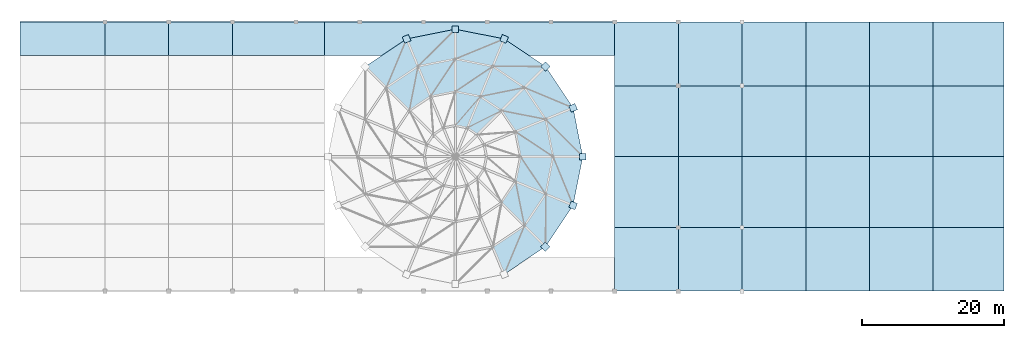
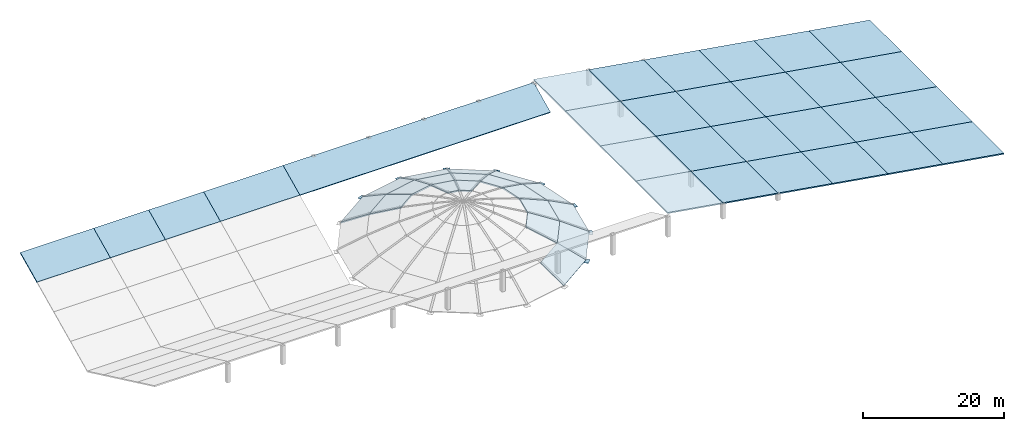
# One storey, part 5 of 7: 48 slabs, 8 plates.
"""IFC4 building model written with IfcOpenShell, lengths in metres."""

from ifc_helpers import new_model, si_unit, direction, frame, origin, origin_2d, place, context, subcontext, project, spatial, polyline, rectangle, outline, extrude, material, layer, layer_set, type_object, element, save


model = new_model("IFC4")

# Units and contexts
model_context = context("Model", 3, precision=1e-05, world=origin(), true_north=direction((0.0, 1.0)))
body_context = subcontext(model_context, "Body", "Model", "MODEL_VIEW")
ifc_project = project(units=[si_unit("LENGTHUNIT", "METRE"), si_unit("AREAUNIT", "SQUARE_METRE"), si_unit("VOLUMEUNIT", "CUBIC_METRE"), si_unit("PLANEANGLEUNIT", "RADIAN"), si_unit("MASSUNIT", "GRAM", prefix="KILO")], contexts=[model_context])

# Site, building, storey
site_placement = place(None, origin())
site = spatial("IfcSite", under=ifc_project, at=site_placement, CompositionType="ELEMENT")
building_placement = place(site_placement, origin())
building = spatial("IfcBuilding", under=site, at=building_placement, Name="Miravela Opera House", CompositionType="ELEMENT")
storey_placement = place(building_placement, frame((0.0, 0.0, 30.760009765625)))
storey = spatial("IfcBuildingStorey", under=building, at=storey_placement, Name="RF", CompositionType="ELEMENT", Elevation=30.760009765625)

# Plates
ifc_material_1 = material(Name="Structural steel ASTM A572 Gr. 50", Category="steel")
ifc_layer_1 = layer(ifc_material_1, 0.031982421875)
ifc_layer_set_1 = layer_set([ifc_layer_1])
plate_type = type_object("IfcPlateType", Name="STR-PL-BASE-950X950X32", PredefinedType="USERDEFINED", material=ifc_layer_set_1)
for number, where, z_axis, x_axis, name in (
    (1, (94.5, 56.0, -4.755859375), (0.0, 0.0, 1.0), (1.0, 0.0, 0.0), "Dome Radial Rib Shoe Base Plate 01"),
    (2, (93.1298828125, 62.88818359375, -4.755859375), (0.0, 0.0, 1.0), (0.923879532511, 0.382683432365, 0.0), "Dome Radial Rib Shoe Base Plate 02"),
    (3, (89.227783203125, 68.727783203125, -4.755859375), (0.0, 0.0, 1.0), (0.707106781187, 0.707106781187, 0.0), "Dome Radial Rib Shoe Base Plate 03"),
    (4, (83.38818359375, 72.6298828125, -4.755859375), (0.0, 0.0, 1.0), (0.382683432365, 0.923879532511, 0.0), "Dome Radial Rib Shoe Base Plate 04"),
    (5, (76.5, 74.0, -4.755859375), (0.0, 0.0, 1.0), (0.0, 1.0, 0.0), "Dome Radial Rib Shoe Base Plate 05"),
    (6, (69.61181640625, 72.6298828125, -4.755859375), (0.0, 0.0, 1.0), (-0.382683432365, 0.923879532511, 0.0), "Dome Radial Rib Shoe Base Plate 06"),
    (7, (89.227783203125, 43.272216796875, -4.755859375), (0.0, 0.0, 1.0), (0.707106781187, -0.707106781187, 0.0), "Dome Radial Rib Shoe Base Plate 15"),
    (8, (93.1298828125, 49.11181640625, -4.755859375), (0.0, 0.0, 1.0), (0.923879532511, -0.382683432365, 0.0), "Dome Radial Rib Shoe Base Plate 16"),
):
    element("IfcPlate", number, at=place(storey_placement, frame(where, z_axis=z_axis, x_axis=x_axis)), inside=storey, type_object=plate_type, Name=name, ObjectType="BASE PLATE", PredefinedType="USERDEFINED", context=body_context, shape_type="SweptSolid", body=[
        extrude(rectangle(XDim=0.949951171875, YDim=0.949951171875, at=origin_2d()), origin(), (0.0, 0.0, 1.0), 0.031982421875),
    ])

# Slabs
ifc_material_2 = material(Name="Concrete C40/50", Category="concrete")
ifc_layer_2 = layer(ifc_material_2, 0.179931640625)
ifc_layer_set_2 = layer_set([ifc_layer_2])
slab_type_1 = type_object("IfcSlabType", Name="STR-ROOF-DOME-180", PredefinedType="ROOF", material=ifc_layer_set_2)
slab_1_placement = place(storey_placement, frame((94.5, 56.0, -4.56005859375), z_axis=(0.462034391653, 0.091906329486, 0.882086984106), x_axis=(-0.195088262972, 0.980785689965, -3.316993e-06)))
element("IfcSlab", 9, at=slab_1_placement, inside=storey, type_object=slab_type_1, Name="Dome Shell Roof Facet Ring 1 Sector 01", PredefinedType="ROOF", context=body_context, shape_type="SweptSolid", body=[
    extrude(outline(polyline([(0.0, 0.0), (7.023125680777193, 2.220446049250313e-16), (6.203836316813696, 4.669994667139818), (0.8193538814632796, 4.669907303255811), (0.0, 0.0)])), origin(), (0.0, 0.0, -1.0), 0.179931640625),
])
slab_2_placement = place(storey_placement, frame((93.1298828125, 62.88818359375, -4.56005859375), z_axis=(0.39169699026, 0.26173074797, 0.882083036561), x_axis=(-0.555588189725, 0.831457613722, 4.759863e-06)))
element("IfcSlab", 10, at=slab_2_placement, inside=storey, type_object=slab_type_1, Name="Dome Shell Roof Facet Ring 1 Sector 02", PredefinedType="ROOF", context=body_context, shape_type="SweptSolid", body=[
    extrude(outline(polyline([(0.0, 0.0), (7.023340014399192, 0.0), (6.204093729638533, 4.669815027829243), (0.8195986590513307, 4.669940394733152), (0.0, 0.0)])), origin(), (0.0, 0.0, -1.0), 0.179931640625),
])
slab_3_placement = place(storey_placement, frame((89.227783203125, 68.727783203125, -4.56005859375), z_axis=(0.26173074797, 0.39169699026, 0.882083036561), x_axis=(-0.831457613722, 0.555588189725, -4.759863e-06)))
element("IfcSlab", 11, at=slab_3_placement, inside=storey, type_object=slab_type_1, Name="Dome Shell Roof Facet Ring 1 Sector 03", PredefinedType="ROOF", context=body_context, shape_type="SweptSolid", body=[
    extrude(outline(polyline([(0.0, 0.0), (7.023340014399192, 0.0), (6.203741355347861, 4.669940394733152), (0.8192462847606585, 4.669815027829243), (0.0, 0.0)])), origin(), (0.0, 0.0, -1.0), 0.179931640625),
])
slab_4_placement = place(storey_placement, frame((83.38818359375, 72.6298828125, -4.56005859375), z_axis=(0.091906329486, 0.462034391653, 0.882086984106), x_axis=(-0.980785689965, 0.195088262972, 3.316993e-06)))
element("IfcSlab", 12, at=slab_4_placement, inside=storey, type_object=slab_type_1, Name="Dome Shell Roof Facet Ring 1 Sector 04", PredefinedType="ROOF", context=body_context, shape_type="SweptSolid", body=[
    extrude(outline(polyline([(0.0, 0.0), (7.023125680777193, -2.220446049250313e-16), (6.203771799313913, 4.669907303255811), (0.8192893639634973, 4.669994667139817), (0.0, 0.0)])), origin(), (0.0, 0.0, -1.0), 0.179931640625),
])
slab_5_placement = place(storey_placement, frame((76.5, 74.0, -4.56005859375), z_axis=(-0.091906329486, 0.462034391653, 0.882086984106), x_axis=(-0.980785689965, -0.195088262972, -3.316993e-06)))
element("IfcSlab", 13, at=slab_5_placement, inside=storey, type_object=slab_type_1, Name="Dome Shell Roof Facet Ring 1 Sector 05", PredefinedType="ROOF", context=body_context, shape_type="SweptSolid", body=[
    extrude(outline(polyline([(0.0, 0.0), (7.023125680777193, 2.220446049250313e-16), (6.203836316813696, 4.669994667139818), (0.8193538814632796, 4.669907303255811), (0.0, 0.0)])), origin(), (0.0, 0.0, -1.0), 0.179931640625),
])
for number, where, z_axis, x_axis, name in (
    (14, (69.61181640625, 72.6298828125, -4.56005859375), (-0.26173074797, 0.39169699026, 0.882083036561), (-0.831457613722, -0.555588189725, 4.759863e-06), "Dome Shell Roof Facet Ring 1 Sector 06"),
    (15, (83.38818359375, 39.3701171875, -4.56005859375), (0.26173074797, -0.39169699026, 0.882083036561), (0.831457613722, 0.555588189725, 4.759863e-06), "Dome Shell Roof Facet Ring 1 Sector 14"),
):
    element("IfcSlab", number, at=place(storey_placement, frame(where, z_axis=z_axis, x_axis=x_axis)), inside=storey, type_object=slab_type_1, Name=name, PredefinedType="ROOF", context=body_context, shape_type="SweptSolid", body=[
        extrude(outline(polyline([(0.0, 0.0), (7.023340014399192, 0.0), (6.204093729638533, 4.669815027829243), (0.8195986590513307, 4.669940394733152), (0.0, 0.0)])), origin(), (0.0, 0.0, -1.0), 0.179931640625),
    ])
slab_6_placement = place(storey_placement, frame((89.227783203125, 43.272216796875, -4.56005859375), z_axis=(0.39169699026, -0.26173074797, 0.882083036561), x_axis=(0.555588189725, 0.831457613722, -4.759863e-06)))
element("IfcSlab", 16, at=slab_6_placement, inside=storey, type_object=slab_type_1, Name="Dome Shell Roof Facet Ring 1 Sector 15", PredefinedType="ROOF", context=body_context, shape_type="SweptSolid", body=[
    extrude(outline(polyline([(0.0, 0.0), (7.023340014399192, 0.0), (6.203741355347861, 4.669940394733152), (0.8192462847606585, 4.669815027829243), (0.0, 0.0)])), origin(), (0.0, 0.0, -1.0), 0.179931640625),
])
slab_7_placement = place(storey_placement, frame((93.1298828125, 49.11181640625, -4.56005859375), z_axis=(0.462034391653, -0.091906329486, 0.882086984106), x_axis=(0.195088262972, 0.980785689965, 3.316993e-06)))
element("IfcSlab", 17, at=slab_7_placement, inside=storey, type_object=slab_type_1, Name="Dome Shell Roof Facet Ring 1 Sector 16", PredefinedType="ROOF", context=body_context, shape_type="SweptSolid", body=[
    extrude(outline(polyline([(0.0, 0.0), (7.023125680777193, -2.220446049250313e-16), (6.203771799313913, 4.669907303255811), (0.8192893639634973, 4.669994667139817), (0.0, 0.0)])), origin(), (0.0, 0.0, -1.0), 0.179931640625),
])
slab_8_placement = place(storey_placement, frame((90.300048828125, 56.0, -2.360107421875), z_axis=(0.389155555046, 0.077405816189, 0.917914099247), x_axis=(-0.195101546297, 0.980783047662, 7.122923e-06)))
element("IfcSlab", 18, at=slab_8_placement, inside=storey, type_object=slab_type_1, Name="Dome Shell Roof Facet Ring 2 Sector 01", PredefinedType="ROOF", context=body_context, shape_type="SweptSolid", body=[
    extrude(outline(polyline([(0.0, 0.0), (5.384482435961812, 1.1102230246251565e-16), (4.487203075772411, 4.91498425060445), (0.8975000569447559, 4.915145353900743), (0.0, 0.0)])), origin(), (0.0, 0.0, -1.0), 0.179931640625),
])
slab_9_placement = place(storey_placement, frame((89.24951171875, 61.281005859375, -2.360107421875), z_axis=(0.329911320057, 0.22044462187, 0.917912136093), x_axis=(-0.555570003077, 0.831469765933, -4.581101e-06)))
element("IfcSlab", 19, at=slab_9_placement, inside=storey, type_object=slab_type_1, Name="Dome Shell Roof Facet Ring 2 Sector 02", PredefinedType="ROOF", context=body_context, shape_type="SweptSolid", body=[
    extrude(outline(polyline([(0.0, 0.0), (5.384495072112978, 4.440892098500626e-16), (4.487070967045331, 4.915060352174468), (0.8974300384168593, 4.9149567405097745), (0.0, 0.0)])), origin(), (0.0, 0.0, -1.0), 0.179931640625),
])
slab_10_placement = place(storey_placement, frame((86.258056640625, 65.758056640625, -2.360107421875), z_axis=(0.22044462187, 0.329911320057, 0.917912136093), x_axis=(-0.831469765933, 0.555570003077, 4.581101e-06)))
element("IfcSlab", 20, at=slab_10_placement, inside=storey, type_object=slab_type_1, Name="Dome Shell Roof Facet Ring 2 Sector 03", PredefinedType="ROOF", context=body_context, shape_type="SweptSolid", body=[
    extrude(outline(polyline([(0.0, 0.0), (5.384495072112978, -4.440892098500626e-16), (4.487065033696118, 4.9149567405097745), (0.8974241050676467, 4.915060352174467), (0.0, 0.0)])), origin(), (0.0, 0.0, -1.0), 0.179931640625),
])
slab_11_placement = place(storey_placement, frame((81.781005859375, 68.74951171875, -2.360107421875), z_axis=(0.077405816189, 0.389155555046, 0.917914099247), x_axis=(-0.980783047662, 0.195101546297, -7.122923e-06)))
element("IfcSlab", 21, at=slab_11_placement, inside=storey, type_object=slab_type_1, Name="Dome Shell Roof Facet Ring 2 Sector 04", PredefinedType="ROOF", context=body_context, shape_type="SweptSolid", body=[
    extrude(outline(polyline([(0.0, 0.0), (5.384482435961812, -1.1102230246251565e-16), (4.486982379017055, 4.915145353900742), (0.8972793601894004, 4.91498425060445), (0.0, 0.0)])), origin(), (0.0, 0.0, -1.0), 0.179931640625),
])
slab_12_placement = place(storey_placement, frame((76.5, 69.800048828125, -2.360107421875), z_axis=(-0.077405816189, 0.389155555046, 0.917914099247), x_axis=(-0.980783047662, -0.195101546297, 7.122923e-06)))
element("IfcSlab", 22, at=slab_12_placement, inside=storey, type_object=slab_type_1, Name="Dome Shell Roof Facet Ring 2 Sector 05", PredefinedType="ROOF", context=body_context, shape_type="SweptSolid", body=[
    extrude(outline(polyline([(0.0, 0.0), (5.384482435961812, 1.1102230246251565e-16), (4.487203075772411, 4.91498425060445), (0.8975000569447559, 4.915145353900743), (0.0, 0.0)])), origin(), (0.0, 0.0, -1.0), 0.179931640625),
])
slab_13_placement = place(storey_placement, frame((71.218994140625, 68.74951171875, -2.360107421875), z_axis=(-0.22044462187, 0.329911320057, 0.917912136093), x_axis=(-0.831469765933, -0.555570003077, -4.581101e-06)))
element("IfcSlab", 23, at=slab_13_placement, inside=storey, type_object=slab_type_1, Name="Dome Shell Roof Facet Ring 2 Sector 06", PredefinedType="ROOF", context=body_context, shape_type="SweptSolid", body=[
    extrude(outline(polyline([(0.0, 0.0), (5.384495072112978, 4.440892098500626e-16), (4.487070967045331, 4.915060352174468), (0.8974300384168593, 4.9149567405097745), (0.0, 0.0)])), origin(), (0.0, 0.0, -1.0), 0.179931640625),
])
slab_14_placement = place(storey_placement, frame((86.258056640625, 46.241943359375, -2.360107421875), z_axis=(0.329911320057, -0.22044462187, 0.917912136093), x_axis=(0.555570003077, 0.831469765933, 4.581101e-06)))
element("IfcSlab", 24, at=slab_14_placement, inside=storey, type_object=slab_type_1, Name="Dome Shell Roof Facet Ring 2 Sector 15", PredefinedType="ROOF", context=body_context, shape_type="SweptSolid", body=[
    extrude(outline(polyline([(0.0, 0.0), (5.384495072112978, -4.440892098500626e-16), (4.487065033696118, 4.9149567405097745), (0.8974241050676467, 4.915060352174467), (0.0, 0.0)])), origin(), (0.0, 0.0, -1.0), 0.179931640625),
])
slab_15_placement = place(storey_placement, frame((89.24951171875, 50.718994140625, -2.360107421875), z_axis=(0.389155555046, -0.077405816189, 0.917914099247), x_axis=(0.195101546297, 0.980783047662, -7.122923e-06)))
element("IfcSlab", 25, at=slab_15_placement, inside=storey, type_object=slab_type_1, Name="Dome Shell Roof Facet Ring 2 Sector 16", PredefinedType="ROOF", context=body_context, shape_type="SweptSolid", body=[
    extrude(outline(polyline([(0.0, 0.0), (5.384482435961812, -1.1102230246251565e-16), (4.486982379017055, 4.915145353900742), (0.8972793601894004, 4.91498425060445), (0.0, 0.0)])), origin(), (0.0, 0.0, -1.0), 0.179931640625),
])
slab_16_placement = place(storey_placement, frame((83.00537109375, 62.50537109375, -0.409912109375), z_axis=(0.178769612235, 0.267532662497, 0.946819782344), x_axis=(-0.831453587889, 0.555594214499, -1.018118e-06)))
element("IfcSlab", 26, at=slab_16_placement, inside=storey, type_object=slab_type_1, Name="Dome Shell Roof Facet Ring 3 Sector 03", PredefinedType="ROOF", context=body_context, shape_type="SweptSolid", body=[
    extrude(outline(polyline([(0.0, 0.0), (3.589640930222311, 4.440892098500626e-16), (2.653126479876139, 4.9721362697790354), (0.9362769377772429, 4.972119479122748), (0.0, 0.0)])), origin(), (0.0, 0.0, -1.0), 0.179931640625),
])
slab_17_placement = place(storey_placement, frame((80.020751953125, 64.499755859375, -0.409912109375), z_axis=(0.062752233361, 0.315582003016, 0.946821079497), x_axis=(-0.980792579232, 0.195053624532, -8.96549e-06)))
element("IfcSlab", 27, at=slab_17_placement, inside=storey, type_object=slab_type_1, Name="Dome Shell Roof Facet Ring 3 Sector 04", PredefinedType="ROOF", context=body_context, shape_type="SweptSolid", body=[
    extrude(outline(polyline([(0.0, 0.0), (3.589703022524995, 0.0), (2.653421757200504, 4.972260795140259), (0.9366383250236381, 4.9721129359574885), (0.0, 0.0)])), origin(), (0.0, 0.0, -1.0), 0.179931640625),
])
ifc_material_3 = material(Name="Concrete C35/45", Category="concrete")
ifc_layer_3 = layer(ifc_material_3, 0.18994140625)
ifc_layer_set_3 = layer_set([ifc_layer_3])
slab_type_2 = type_object("IfcSlabType", Name="STR-ROOF-VWRAP-190", PredefinedType="ROOF", material=ifc_layer_set_3)
slab_18_placement = place(storey_placement, frame((15.0, 70.25, 1.25), z_axis=(0.0, -0.428086344739, 0.903737838894), x_axis=(1.0, 0.0, 0.0)))
element("IfcSlab", 28, at=slab_18_placement, inside=storey, type_object=slab_type_2, Name="Auditorium V-Crest Roof Slab Bay 8.1", PredefinedType="ROOF", context=body_context, shape_type="SweptSolid", body=[
    extrude(outline(polyline([(0.0, 0.0), (12.0, 0.0), (12.0, 5.25594901040716), (0.0, 5.25594901040716), (0.0, 0.0)])), origin(), (0.0, 0.0, -1.0), 0.18994140625),
])
for number, where, z_axis, x_axis, name in (
    (29, (27.0, 70.25, 1.25), (0.0, -0.428086344739, 0.903737838894), (1.0, 0.0, 0.0), "Auditorium V-Crest Roof Slab Bay 8.2"),
    (30, (36.0, 70.25, 1.25), (0.0, -0.428086344739, 0.903737838894), (1.0, 0.0, 0.0), "Auditorium V-Crest Roof Slab Bay 8.3"),
):
    element("IfcSlab", number, at=place(storey_placement, frame(where, z_axis=z_axis, x_axis=x_axis)), inside=storey, type_object=slab_type_2, Name=name, PredefinedType="ROOF", context=body_context, shape_type="SweptSolid", body=[
        extrude(outline(polyline([(0.0, 0.0), (9.0, 0.0), (9.0, 5.25594901040716), (0.0, 5.25594901040716), (0.0, 0.0)])), origin(), (0.0, 0.0, -1.0), 0.18994140625),
    ])
slab_19_placement = place(storey_placement, frame((45.0, 70.25, 1.25), z_axis=(0.0, -0.428086344739, 0.903737838894), x_axis=(1.0, 0.0, 0.0)))
element("IfcSlab", 31, at=slab_19_placement, inside=storey, type_object=slab_type_2, Name="Auditorium V-Crest Roof Slab Bay 8.4", PredefinedType="ROOF", context=body_context, shape_type="SweptSolid", body=[
    extrude(outline(polyline([(0.0, 0.0), (13.0, 0.0), (13.0, 5.255949010407159), (0.0, 5.255949010407159), (0.0, 0.0)])), origin(), (0.0, 0.0, -1.0), 0.18994140625),
])
slab_20_placement = place(storey_placement, frame((58.0, 70.25, 1.25), z_axis=(0.0, -0.428086344739, 0.903737838894), x_axis=(1.0, 0.0, 0.0)))
element("IfcSlab", 32, at=slab_20_placement, inside=storey, type_object=slab_type_2, Name="Drum Flanking V-Roof Slab B8", PredefinedType="ROOF", context=body_context, shape_type="SweptSolid", body=[
    extrude(outline(polyline([(0.0, 0.0), (41.0, 0.0), (41.0, 5.25594901040716), (0.0, 5.25594901040716), (0.0, 0.0)])), origin(), (0.0, 0.0, -1.0), 0.18994140625),
])
ifc_layer_4 = layer(ifc_material_3, 0.199951171875)
ifc_layer_set_4 = layer_set([ifc_layer_4])
slab_type_3 = type_object("IfcSlabType", Name="STR-ROOF-WEDGE-200", PredefinedType="ROOF", material=ifc_layer_set_4)
slab_21_placement = place(storey_placement, frame((99.0, 37.0, 4.0400390625), z_axis=(0.161480983356, 0.0, 0.98687582401), x_axis=(0.98687582401, 0.0, -0.161480983356)))
element("IfcSlab", 33, at=slab_21_placement, inside=storey, type_object=slab_type_3, Name="Stage House Steep Wedge Roof Facet 1.1", PredefinedType="ROOF", context=body_context, shape_type="SweptSolid", body=[
    extrude(outline(polyline([(0.0, 0.0), (9.11968839548063, 0.0), (9.11968839548063, 9.0), (0.0, 9.0), (0.0, 0.0)])), origin(), (0.0, 0.0, -1.0), 0.199951171875),
])
for number, where, z_axis, x_axis, name in (
    (34, (99.0, 46.0, 4.0400390625), (0.161480983356, 0.0, 0.98687582401), (0.98687582401, 0.0, -0.161480983356), "Stage House Steep Wedge Roof Facet 1.2"),
    (35, (99.0, 56.0, 4.0400390625), (0.161480983356, 0.0, 0.98687582401), (0.98687582401, 0.0, -0.161480983356), "Stage House Steep Wedge Roof Facet 1.3"),
):
    element("IfcSlab", number, at=place(storey_placement, frame(where, z_axis=z_axis, x_axis=x_axis)), inside=storey, type_object=slab_type_3, Name=name, PredefinedType="ROOF", context=body_context, shape_type="SweptSolid", body=[
        extrude(outline(polyline([(0.0, 0.0), (9.11968839548063, 0.0), (9.11968839548063, 10.0), (0.0, 10.0), (0.0, 0.0)])), origin(), (0.0, 0.0, -1.0), 0.199951171875),
    ])
slab_22_placement = place(storey_placement, frame((99.0, 66.0, 4.0400390625), z_axis=(0.161480983356, 0.0, 0.98687582401), x_axis=(0.98687582401, 0.0, -0.161480983356)))
element("IfcSlab", 36, at=slab_22_placement, inside=storey, type_object=slab_type_3, Name="Stage House Steep Wedge Roof Facet 1.4", PredefinedType="ROOF", context=body_context, shape_type="SweptSolid", body=[
    extrude(outline(polyline([(0.0, 0.0), (9.11968839548063, 0.0), (9.11968839548063, 9.0), (0.0, 9.0), (0.0, 0.0)])), origin(), (0.0, 0.0, -1.0), 0.199951171875),
])
slab_23_placement = place(storey_placement, frame((108.0, 37.0, 2.5673828125), z_axis=(0.161507055831, 0.0, 0.986871557457), x_axis=(0.986871557457, 0.0, -0.161507055831)))
element("IfcSlab", 37, at=slab_23_placement, inside=storey, type_object=slab_type_3, Name="Stage House Steep Wedge Roof Facet 2.1", PredefinedType="ROOF", context=body_context, shape_type="SweptSolid", body=[
    extrude(outline(polyline([(0.0, 0.0), (9.119727822731514, 0.0), (9.119727822731514, 9.0), (0.0, 9.0), (0.0, 0.0)])), origin(), (0.0, 0.0, -1.0), 0.199951171875),
])
for number, where, z_axis, x_axis, name in (
    (38, (108.0, 46.0, 2.5673828125), (0.161507055831, 0.0, 0.986871557457), (0.986871557457, 0.0, -0.161507055831), "Stage House Steep Wedge Roof Facet 2.2"),
    (39, (108.0, 56.0, 2.5673828125), (0.161507055831, 0.0, 0.986871557457), (0.986871557457, 0.0, -0.161507055831), "Stage House Steep Wedge Roof Facet 2.3"),
):
    element("IfcSlab", number, at=place(storey_placement, frame(where, z_axis=z_axis, x_axis=x_axis)), inside=storey, type_object=slab_type_3, Name=name, PredefinedType="ROOF", context=body_context, shape_type="SweptSolid", body=[
        extrude(outline(polyline([(0.0, 0.0), (9.119727822731514, 0.0), (9.119727822731514, 10.0), (0.0, 10.0), (0.0, 0.0)])), origin(), (0.0, 0.0, -1.0), 0.199951171875),
    ])
slab_24_placement = place(storey_placement, frame((108.0, 66.0, 2.5673828125), z_axis=(0.161507055831, 0.0, 0.986871557457), x_axis=(0.986871557457, 0.0, -0.161507055831)))
element("IfcSlab", 40, at=slab_24_placement, inside=storey, type_object=slab_type_3, Name="Stage House Steep Wedge Roof Facet 2.4", PredefinedType="ROOF", context=body_context, shape_type="SweptSolid", body=[
    extrude(outline(polyline([(0.0, 0.0), (9.119727822731514, 0.0), (9.119727822731514, 9.0), (0.0, 9.0), (0.0, 0.0)])), origin(), (0.0, 0.0, -1.0), 0.199951171875),
])
slab_25_placement = place(storey_placement, frame((117.0, 37.0, 1.094482421875), z_axis=(0.161480983356, 0.0, 0.98687582401), x_axis=(0.98687582401, 0.0, -0.161480983356)))
element("IfcSlab", 41, at=slab_25_placement, inside=storey, type_object=slab_type_3, Name="Stage House Steep Wedge Roof Facet 3.1", PredefinedType="ROOF", context=body_context, shape_type="SweptSolid", body=[
    extrude(outline(polyline([(0.0, 0.0), (9.11968839548063, 0.0), (9.11968839548063, 9.0), (0.0, 9.0), (0.0, 0.0)])), origin(), (0.0, 0.0, -1.0), 0.199951171875),
])
for number, where, z_axis, x_axis, name in (
    (42, (117.0, 46.0, 1.094482421875), (0.161480983356, 0.0, 0.98687582401), (0.98687582401, 0.0, -0.161480983356), "Stage House Steep Wedge Roof Facet 3.2"),
    (43, (117.0, 56.0, 1.094482421875), (0.161480983356, 0.0, 0.98687582401), (0.98687582401, 0.0, -0.161480983356), "Stage House Steep Wedge Roof Facet 3.3"),
):
    element("IfcSlab", number, at=place(storey_placement, frame(where, z_axis=z_axis, x_axis=x_axis)), inside=storey, type_object=slab_type_3, Name=name, PredefinedType="ROOF", context=body_context, shape_type="SweptSolid", body=[
        extrude(outline(polyline([(0.0, 0.0), (9.11968839548063, 0.0), (9.11968839548063, 10.0), (0.0, 10.0), (0.0, 0.0)])), origin(), (0.0, 0.0, -1.0), 0.199951171875),
    ])
for number, where, z_axis, x_axis, name in (
    (44, (117.0, 66.0, 1.094482421875), (0.161480983356, 0.0, 0.98687582401), (0.98687582401, 0.0, -0.161480983356), "Stage House Steep Wedge Roof Facet 3.4"),
    (45, (126.0, 37.0, -0.378173828125), (0.161480983356, 0.0, 0.98687582401), (0.98687582401, 0.0, -0.161480983356), "Stage House Steep Wedge Roof Facet 4.1"),
):
    element("IfcSlab", number, at=place(storey_placement, frame(where, z_axis=z_axis, x_axis=x_axis)), inside=storey, type_object=slab_type_3, Name=name, PredefinedType="ROOF", context=body_context, shape_type="SweptSolid", body=[
        extrude(outline(polyline([(0.0, 0.0), (9.11968839548063, 0.0), (9.11968839548063, 9.0), (0.0, 9.0), (0.0, 0.0)])), origin(), (0.0, 0.0, -1.0), 0.199951171875),
    ])
for number, where, z_axis, x_axis, name in (
    (46, (126.0, 46.0, -0.378173828125), (0.161480983356, 0.0, 0.98687582401), (0.98687582401, 0.0, -0.161480983356), "Stage House Steep Wedge Roof Facet 4.2"),
    (47, (126.0, 56.0, -0.378173828125), (0.161480983356, 0.0, 0.98687582401), (0.98687582401, 0.0, -0.161480983356), "Stage House Steep Wedge Roof Facet 4.3"),
):
    element("IfcSlab", number, at=place(storey_placement, frame(where, z_axis=z_axis, x_axis=x_axis)), inside=storey, type_object=slab_type_3, Name=name, PredefinedType="ROOF", context=body_context, shape_type="SweptSolid", body=[
        extrude(outline(polyline([(0.0, 0.0), (9.11968839548063, 0.0), (9.11968839548063, 10.0), (0.0, 10.0), (0.0, 0.0)])), origin(), (0.0, 0.0, -1.0), 0.199951171875),
    ])
slab_26_placement = place(storey_placement, frame((126.0, 66.0, -0.378173828125), z_axis=(0.161480983356, 0.0, 0.98687582401), x_axis=(0.98687582401, 0.0, -0.161480983356)))
element("IfcSlab", 48, at=slab_26_placement, inside=storey, type_object=slab_type_3, Name="Stage House Steep Wedge Roof Facet 4.4", PredefinedType="ROOF", context=body_context, shape_type="SweptSolid", body=[
    extrude(outline(polyline([(0.0, 0.0), (9.11968839548063, 0.0), (9.11968839548063, 9.0), (0.0, 9.0), (0.0, 0.0)])), origin(), (0.0, 0.0, -1.0), 0.199951171875),
])
slab_27_placement = place(storey_placement, frame((135.0, 37.0, -1.850830078125), z_axis=(0.161507055831, 0.0, 0.986871557457), x_axis=(0.986871557457, 0.0, -0.161507055831)))
element("IfcSlab", 49, at=slab_27_placement, inside=storey, type_object=slab_type_3, Name="Stage House Steep Wedge Roof Facet 5.1", PredefinedType="ROOF", context=body_context, shape_type="SweptSolid", body=[
    extrude(outline(polyline([(0.0, 0.0), (9.119727822731514, 0.0), (9.119727822731514, 9.0), (0.0, 9.0), (0.0, 0.0)])), origin(), (0.0, 0.0, -1.0), 0.199951171875),
])
for number, where, z_axis, x_axis, name in (
    (50, (135.0, 46.0, -1.850830078125), (0.161507055831, 0.0, 0.986871557457), (0.986871557457, 0.0, -0.161507055831), "Stage House Steep Wedge Roof Facet 5.2"),
    (51, (135.0, 56.0, -1.850830078125), (0.161507055831, 0.0, 0.986871557457), (0.986871557457, 0.0, -0.161507055831), "Stage House Steep Wedge Roof Facet 5.3"),
):
    element("IfcSlab", number, at=place(storey_placement, frame(where, z_axis=z_axis, x_axis=x_axis)), inside=storey, type_object=slab_type_3, Name=name, PredefinedType="ROOF", context=body_context, shape_type="SweptSolid", body=[
        extrude(outline(polyline([(0.0, 0.0), (9.119727822731514, 0.0), (9.119727822731514, 10.0), (0.0, 10.0), (0.0, 0.0)])), origin(), (0.0, 0.0, -1.0), 0.199951171875),
    ])
slab_28_placement = place(storey_placement, frame((135.0, 66.0, -1.850830078125), z_axis=(0.161507055831, 0.0, 0.986871557457), x_axis=(0.986871557457, 0.0, -0.161507055831)))
element("IfcSlab", 52, at=slab_28_placement, inside=storey, type_object=slab_type_3, Name="Stage House Steep Wedge Roof Facet 5.4", PredefinedType="ROOF", context=body_context, shape_type="SweptSolid", body=[
    extrude(outline(polyline([(0.0, 0.0), (9.119727822731514, 0.0), (9.119727822731514, 9.0), (0.0, 9.0), (0.0, 0.0)])), origin(), (0.0, 0.0, -1.0), 0.199951171875),
])
slab_29_placement = place(storey_placement, frame((144.0, 37.0, -3.32373046875), z_axis=(0.16147576882, 0.0, 0.986876677242), x_axis=(0.986876677242, 0.0, -0.16147576882)))
element("IfcSlab", 53, at=slab_29_placement, inside=storey, type_object=slab_type_3, Name="Stage House Steep Wedge Roof Facet 6.1", PredefinedType="ROOF", context=body_context, shape_type="SweptSolid", body=[
    extrude(outline(polyline([(0.0, 0.0), (10.132978345326999, 0.0), (10.132978345326999, 9.0), (0.0, 9.0), (0.0, 0.0)])), origin(), (0.0, 0.0, -1.0), 0.199951171875),
])
for number, where, z_axis, x_axis, name in (
    (54, (144.0, 46.0, -3.32373046875), (0.16147576882, 0.0, 0.986876677242), (0.986876677242, 0.0, -0.16147576882), "Stage House Steep Wedge Roof Facet 6.2"),
    (55, (144.0, 56.0, -3.32373046875), (0.16147576882, 0.0, 0.986876677242), (0.986876677242, 0.0, -0.16147576882), "Stage House Steep Wedge Roof Facet 6.3"),
):
    element("IfcSlab", number, at=place(storey_placement, frame(where, z_axis=z_axis, x_axis=x_axis)), inside=storey, type_object=slab_type_3, Name=name, PredefinedType="ROOF", context=body_context, shape_type="SweptSolid", body=[
        extrude(outline(polyline([(0.0, 0.0), (10.132978345326999, 0.0), (10.132978345326999, 10.0), (0.0, 10.0), (0.0, 0.0)])), origin(), (0.0, 0.0, -1.0), 0.199951171875),
    ])
slab_30_placement = place(storey_placement, frame((144.0, 66.0, -3.32373046875), z_axis=(0.16147576882, 0.0, 0.986876677242), x_axis=(0.986876677242, 0.0, -0.16147576882)))
element("IfcSlab", 56, at=slab_30_placement, inside=storey, type_object=slab_type_3, Name="Stage House Steep Wedge Roof Facet 6.4", PredefinedType="ROOF", context=body_context, shape_type="SweptSolid", body=[
    extrude(outline(polyline([(0.0, 0.0), (10.132978345326999, 0.0), (10.132978345326999, 9.0), (0.0, 9.0), (0.0, 0.0)])), origin(), (0.0, 0.0, -1.0), 0.199951171875),
])

save(model, "model.ifc")
